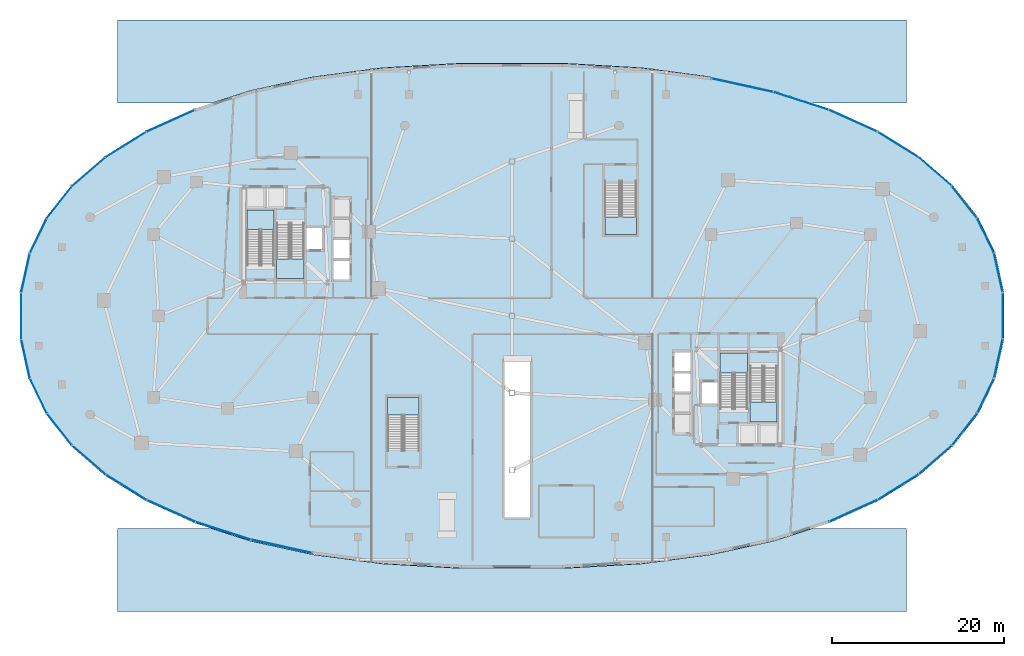
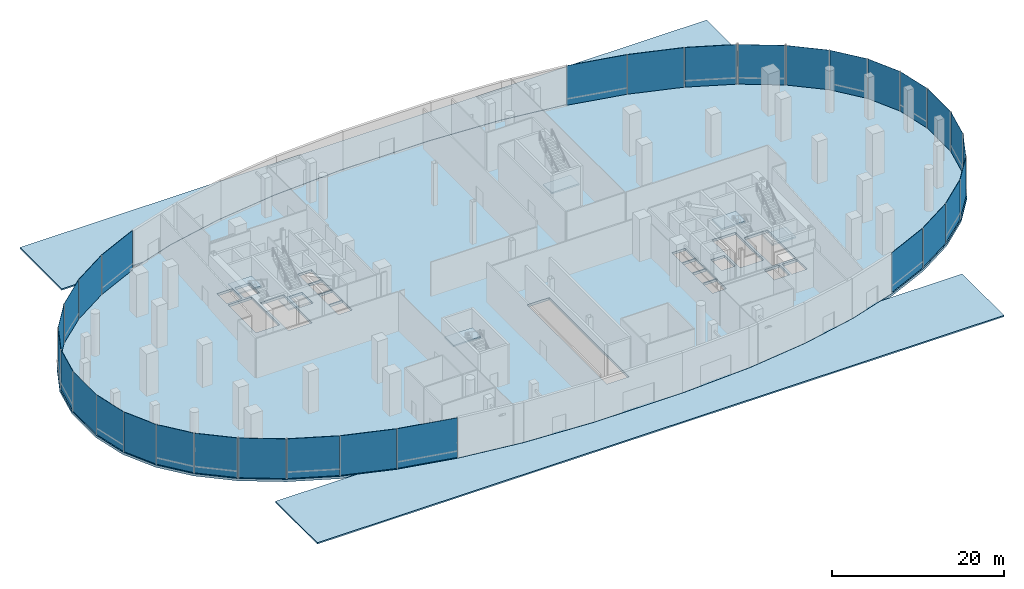
# One storey, part 11 of 20: 30 plates, 9 slabs, 13 elements without a shape of their own.
"""IFC4 building model written with IfcOpenShell, lengths in metres."""

from ifc_helpers import new_model, si_unit, direction, frame, origin, origin_2d, place, context, subcontext, project, spatial, polyline, rectangle, outline, extrude, material, layer, layer_set, type_object, element, aggregate, save


model = new_model("IFC4")

# Units and contexts
model_context = context("Model", 3, precision=1e-05, world=origin(), true_north=direction((0.0, 1.0)))
body_context = subcontext(model_context, "Body", "Model", "MODEL_VIEW")
ifc_project = project(units=[si_unit("LENGTHUNIT", "METRE"), si_unit("AREAUNIT", "SQUARE_METRE"), si_unit("VOLUMEUNIT", "CUBIC_METRE"), si_unit("PLANEANGLEUNIT", "RADIAN"), si_unit("MASSUNIT", "GRAM", prefix="KILO"), si_unit("THERMODYNAMICTEMPERATUREUNIT", "KELVIN"), si_unit("POWERUNIT", "WATT")], contexts=[model_context])

# Site, building, storey
site_placement = place(None, origin())
site = spatial("IfcSite", under=ifc_project, at=site_placement, CompositionType="ELEMENT")
building_placement = place(site_placement, origin())
building = spatial("IfcBuilding", under=site, at=building_placement, Name="Cundina Bronze Exchange", CompositionType="ELEMENT")
storey_placement = place(building_placement, origin())
storey = spatial("IfcBuildingStorey", under=building, at=storey_placement, Name="L00", CompositionType="ELEMENT", Elevation=0.0)

# Curtain wall, plates
ifc_material_1 = material(Name="Anodised Bronze Aluminium 6063-T6", Category="aluminium")
curtain_wall_type = type_object("IfcCurtainWallType", Name="CWS-POD-CONC", PredefinedType="NOTDEFINED", material=ifc_material_1)
curtain_wall_1_placement = place(storey_placement, origin())
curtain_wall_1 = element("IfcCurtainWall", 1, at=curtain_wall_1_placement, inside=storey, type_object=curtain_wall_type, Name="L00 CW-01 Curtain Wall Run CWR-L00-01", PredefinedType="NOTDEFINED")
ifc_material_2 = material(Name="Heat-Strengthened Solar-Control Bronze Safety Glass 28mm", Category="glass")
ifc_layer_1 = layer(ifc_material_2, 0.033935546875, Name="Heat-Strengthened Solar-Control Bronze Safety Glass 28mm", Category="glass")
ifc_layer_set_1 = layer_set([ifc_layer_1], Name="Heat-Strengthened Solar-Control Bronze Safety Glass 28mm")
plate_type_1 = type_object("IfcPlateType", Name="PLT-GLZ-POD34", PredefinedType="CURTAIN_PANEL", material=ifc_layer_set_1)
plate_1_placement = place(storey_placement, frame((56.7294921875, 4.99951171875, 0.02001953125), z_axis=(0.0, 0.0, 1.0), x_axis=(-0.214496674701, 0.976724718916, 0.0)))
plate_1 = element("IfcPlate", 2, at=plate_1_placement, type_object=plate_type_1, Name="CW-01 Glazed Panel 1", PredefinedType="CURTAIN_PANEL", context=body_context, shape_type="SweptSolid", body=[
    extrude(rectangle(XDim=4.60009765625, YDim=0.033935546875, at=origin_2d()), origin(), (0.0, 0.0, 1.0), 5.610107421875),
])
plate_2_placement = place(storey_placement, frame((55.237548828125, 9.3232421875, 0.02001953125), z_axis=(0.0, 0.0, 1.0), x_axis=(-0.435765282624, 0.900060341566, 0.0)))
plate_2 = element("IfcPlate", 3, at=plate_2_placement, type_object=plate_type_1, Name="CW-01 Glazed Panel 2", PredefinedType="CURTAIN_PANEL", context=body_context, shape_type="SweptSolid", body=[
    extrude(rectangle(XDim=4.499755859375, YDim=0.033935546875, at=origin_2d()), origin(), (0.0, 0.0, 1.0), 5.610107421875),
])
plate_3_placement = place(storey_placement, frame((52.768798828125, 13.24462890625, 0.02001953125), z_axis=(0.0, 0.0, 1.0), x_axis=(-0.619463952441, 0.785025102545, 0.0)))
plate_3 = element("IfcPlate", 4, at=plate_3_placement, type_object=plate_type_1, Name="CW-01 Glazed Panel 3", PredefinedType="CURTAIN_PANEL", context=body_context, shape_type="SweptSolid", body=[
    extrude(rectangle(XDim=4.7060546875, YDim=0.033935546875, at=origin_2d()), origin(), (0.0, 0.0, 1.0), 5.610107421875),
])
plate_4_placement = place(storey_placement, frame((49.346923828125, 16.802490234375, 0.02001953125), z_axis=(0.0, 0.0, 1.0), x_axis=(-0.755556279398, 0.655083741717, 0.0)))
plate_4 = element("IfcPlate", 5, at=plate_4_placement, type_object=plate_type_1, Name="CW-01 Glazed Panel 4", PredefinedType="CURTAIN_PANEL", context=body_context, shape_type="SweptSolid", body=[
    extrude(rectangle(XDim=5.0849609375, YDim=0.033935546875, at=origin_2d()), origin(), (0.0, 0.0, 1.0), 5.610107421875),
])

curtain_wall_2_placement = place(storey_placement, origin())
curtain_wall_2 = element("IfcCurtainWall", 6, at=curtain_wall_2_placement, inside=storey, type_object=curtain_wall_type, Name="L00 CW-01 Curtain Wall Run CWR-L00-02", PredefinedType="NOTDEFINED")
plate_5_placement = place(storey_placement, frame((39.789794921875, 22.73876953125, 0.02001953125), z_axis=(0.0, 0.0, 1.0), x_axis=(-0.911647313688, 0.41097344859, 0.0)))
plate_5 = element("IfcPlate", 7, at=plate_5_placement, type_object=plate_type_1, Name="CW-01 Glazed Panel 1", PredefinedType="CURTAIN_PANEL", context=body_context, shape_type="SweptSolid", body=[
    extrude(rectangle(XDim=6.11962890625, YDim=0.033935546875, at=origin_2d()), origin(), (0.0, 0.0, 1.0), 5.610107421875),
])
plate_6_placement = place(storey_placement, frame((33.738037109375, 25.051513671875, 0.02001953125), z_axis=(0.0, 0.0, 1.0), x_axis=(-0.951840858876, 0.306592529873, 0.0)))
plate_6 = element("IfcPlate", 8, at=plate_6_placement, type_object=plate_type_1, Name="CW-01 Glazed Panel 2", PredefinedType="CURTAIN_PANEL", context=body_context, shape_type="SweptSolid", body=[
    extrude(rectangle(XDim=6.71044921875, YDim=0.033935546875, at=origin_2d()), origin(), (0.0, 0.0, 1.0), 5.610107421875),
])
plate_7_placement = place(storey_placement, frame((26.882568359375, 26.884765625, 0.02001953125), z_axis=(0.0, 0.0, 1.0), x_axis=(-0.9769078017, 0.213661290314, 0.0)))
plate_7 = element("IfcPlate", 9, at=plate_7_placement, type_object=plate_type_1, Name="CW-01 Glazed Panel 3", PredefinedType="CURTAIN_PANEL", context=body_context, shape_type="SweptSolid", body=[
    extrude(rectangle(XDim=7.3466796875, YDim=0.033935546875, at=origin_2d()), origin(), (0.0, 0.0, 1.0), 5.610107421875),
])
aggregate(curtain_wall_2, [plate_5, plate_6, plate_7])

curtain_wall_3_placement = place(storey_placement, origin())
curtain_wall_3 = element("IfcCurtainWall", 10, at=curtain_wall_3_placement, inside=storey, type_object=curtain_wall_type, Name="L00 CW-01 Curtain Wall Run CWR-L00-03", PredefinedType="NOTDEFINED")
plate_8_placement = place(storey_placement, frame((-39.789794921875, 22.73876953125, 0.02001953125), z_axis=(0.0, 0.0, 1.0), x_axis=(-0.911647313688, -0.41097344859, 0.0)))
plate_8 = element("IfcPlate", 11, at=plate_8_placement, type_object=plate_type_1, Name="CW-01 Glazed Panel 1", PredefinedType="CURTAIN_PANEL", context=body_context, shape_type="SweptSolid", body=[
    extrude(rectangle(XDim=6.11962890625, YDim=0.033935546875, at=origin_2d()), origin(), (0.0, 0.0, 1.0), 5.610107421875),
])
plate_9_placement = place(storey_placement, frame((-45.007080078125, 19.977783203125, 0.02001953125), z_axis=(0.0, 0.0, 1.0), x_axis=(-0.849294333819, -0.527919628867, 0.0)))
plate_9 = element("IfcPlate", 12, at=plate_9_placement, type_object=plate_type_1, Name="CW-01 Glazed Panel 2", PredefinedType="CURTAIN_PANEL", context=body_context, shape_type="SweptSolid", body=[
    extrude(rectangle(XDim=5.570068359375, YDim=0.033935546875, at=origin_2d()), origin(), (0.0, 0.0, 1.0), 5.610107421875),
])
plate_10_placement = place(storey_placement, frame((-52.768798828125, 13.24462890625, 0.02001953125), z_axis=(0.0, 0.0, 1.0), x_axis=(-0.619463952441, -0.785025102545, 0.0)))
plate_10 = element("IfcPlate", 13, at=plate_10_placement, type_object=plate_type_1, Name="CW-01 Glazed Panel 4", PredefinedType="CURTAIN_PANEL", context=body_context, shape_type="SweptSolid", body=[
    extrude(rectangle(XDim=4.7060546875, YDim=0.033935546875, at=origin_2d()), origin(), (0.0, 0.0, 1.0), 5.610107421875),
])
plate_11_placement = place(storey_placement, frame((-55.237548828125, 9.3232421875, 0.02001953125), z_axis=(0.0, 0.0, 1.0), x_axis=(-0.435765282624, -0.900060341566, 0.0)))
plate_11 = element("IfcPlate", 14, at=plate_11_placement, type_object=plate_type_1, Name="CW-01 Glazed Panel 5", PredefinedType="CURTAIN_PANEL", context=body_context, shape_type="SweptSolid", body=[
    extrude(rectangle(XDim=4.499755859375, YDim=0.033935546875, at=origin_2d()), origin(), (0.0, 0.0, 1.0), 5.610107421875),
])

curtain_wall_4_placement = place(storey_placement, origin())
curtain_wall_4 = element("IfcCurtainWall", 15, at=curtain_wall_4_placement, inside=storey, type_object=curtain_wall_type, Name="L00 CW-01 Curtain Wall Run CWR-L00-04", PredefinedType="NOTDEFINED")
plate_12_placement = place(storey_placement, frame((-56.7294921875, 4.99951171875, 0.02001953125), z_axis=(0.0, 0.0, 1.0), x_axis=(-0.214496674701, -0.976724718916, 0.0)))
plate_12 = element("IfcPlate", 16, at=plate_12_placement, type_object=plate_type_1, Name="CW-01 Glazed Panel 1", PredefinedType="CURTAIN_PANEL", context=body_context, shape_type="SweptSolid", body=[
    extrude(rectangle(XDim=4.60009765625, YDim=0.033935546875, at=origin_2d()), origin(), (0.0, 0.0, 1.0), 5.610107421875),
])
plate_13_placement = place(storey_placement, frame((-56.7294921875, -4.99951171875, 0.02001953125), z_axis=(0.0, 0.0, 1.0), x_axis=(0.214496674701, -0.976724718916, 0.0)))
plate_13 = element("IfcPlate", 17, at=plate_13_placement, type_object=plate_type_1, Name="CW-01 Glazed Panel 3", PredefinedType="CURTAIN_PANEL", context=body_context, shape_type="SweptSolid", body=[
    extrude(rectangle(XDim=4.60009765625, YDim=0.033935546875, at=origin_2d()), origin(), (0.0, 0.0, 1.0), 5.610107421875),
])
plate_14_placement = place(storey_placement, frame((-55.237548828125, -9.3232421875, 0.02001953125), z_axis=(0.0, 0.0, 1.0), x_axis=(0.435765282624, -0.900060341566, 0.0)))
plate_14 = element("IfcPlate", 18, at=plate_14_placement, type_object=plate_type_1, Name="CW-01 Glazed Panel 4", PredefinedType="CURTAIN_PANEL", context=body_context, shape_type="SweptSolid", body=[
    extrude(rectangle(XDim=4.499755859375, YDim=0.033935546875, at=origin_2d()), origin(), (0.0, 0.0, 1.0), 5.610107421875),
])
plate_15_placement = place(storey_placement, frame((-52.768798828125, -13.24462890625, 0.02001953125), z_axis=(0.0, 0.0, 1.0), x_axis=(0.619463952441, -0.785025102545, 0.0)))
plate_15 = element("IfcPlate", 19, at=plate_15_placement, type_object=plate_type_1, Name="CW-01 Glazed Panel 5", PredefinedType="CURTAIN_PANEL", context=body_context, shape_type="SweptSolid", body=[
    extrude(rectangle(XDim=4.7060546875, YDim=0.033935546875, at=origin_2d()), origin(), (0.0, 0.0, 1.0), 5.610107421875),
])

curtain_wall_5_placement = place(storey_placement, origin())
curtain_wall_5 = element("IfcCurtainWall", 20, at=curtain_wall_5_placement, inside=storey, type_object=curtain_wall_type, Name="L00 CW-01 Curtain Wall Run CWR-L00-05", PredefinedType="NOTDEFINED")
plate_16_placement = place(storey_placement, frame((-45.007080078125, -19.977783203125, 0.02001953125), z_axis=(0.0, 0.0, 1.0), x_axis=(0.849294333819, -0.527919628867, 0.0)))
plate_16 = element("IfcPlate", 21, at=plate_16_placement, type_object=plate_type_1, Name="CW-01 Glazed Panel 2", PredefinedType="CURTAIN_PANEL", context=body_context, shape_type="SweptSolid", body=[
    extrude(rectangle(XDim=5.570068359375, YDim=0.033935546875, at=origin_2d()), origin(), (0.0, 0.0, 1.0), 5.610107421875),
])
plate_17_placement = place(storey_placement, frame((-39.789794921875, -22.73876953125, 0.02001953125), z_axis=(0.0, 0.0, 1.0), x_axis=(0.911647313688, -0.41097344859, 0.0)))
plate_17 = element("IfcPlate", 22, at=plate_17_placement, type_object=plate_type_1, Name="CW-01 Glazed Panel 3", PredefinedType="CURTAIN_PANEL", context=body_context, shape_type="SweptSolid", body=[
    extrude(rectangle(XDim=6.11962890625, YDim=0.033935546875, at=origin_2d()), origin(), (0.0, 0.0, 1.0), 5.610107421875),
])
plate_18_placement = place(storey_placement, frame((-33.738037109375, -25.051513671875, 0.02001953125), z_axis=(0.0, 0.0, 1.0), x_axis=(0.951840858876, -0.306592529873, 0.0)))
plate_18 = element("IfcPlate", 23, at=plate_18_placement, type_object=plate_type_1, Name="CW-01 Glazed Panel 4", PredefinedType="CURTAIN_PANEL", context=body_context, shape_type="SweptSolid", body=[
    extrude(rectangle(XDim=6.71044921875, YDim=0.033935546875, at=origin_2d()), origin(), (0.0, 0.0, 1.0), 5.610107421875),
])
plate_19_placement = place(storey_placement, frame((-26.882568359375, -26.884765625, 0.02001953125), z_axis=(0.0, 0.0, 1.0), x_axis=(0.9769078017, -0.213661290314, 0.0)))
plate_19 = element("IfcPlate", 24, at=plate_19_placement, type_object=plate_type_1, Name="CW-01 Glazed Panel 5", PredefinedType="CURTAIN_PANEL", context=body_context, shape_type="SweptSolid", body=[
    extrude(rectangle(XDim=7.3466796875, YDim=0.033935546875, at=origin_2d()), origin(), (0.0, 0.0, 1.0), 5.610107421875),
])

curtain_wall_6_placement = place(storey_placement, origin())
curtain_wall_6 = element("IfcCurtainWall", 25, at=curtain_wall_6_placement, inside=storey, type_object=curtain_wall_type, Name="L00 CW-01 Curtain Wall Run CWR-L00-06", PredefinedType="NOTDEFINED")
plate_20_placement = place(storey_placement, frame((39.789794921875, -22.73876953125, 0.02001953125), z_axis=(0.0, 0.0, 1.0), x_axis=(0.911647313688, 0.41097344859, 0.0)))
plate_20 = element("IfcPlate", 26, at=plate_20_placement, type_object=plate_type_1, Name="CW-01 Glazed Panel 1", PredefinedType="CURTAIN_PANEL", context=body_context, shape_type="SweptSolid", body=[
    extrude(rectangle(XDim=6.11962890625, YDim=0.033935546875, at=origin_2d()), origin(), (0.0, 0.0, 1.0), 5.610107421875),
])
plate_21_placement = place(storey_placement, frame((45.007080078125, -19.977783203125, 0.02001953125), z_axis=(0.0, 0.0, 1.0), x_axis=(0.849294333819, 0.527919628867, 0.0)))
plate_21 = element("IfcPlate", 27, at=plate_21_placement, type_object=plate_type_1, Name="CW-01 Glazed Panel 2", PredefinedType="CURTAIN_PANEL", context=body_context, shape_type="SweptSolid", body=[
    extrude(rectangle(XDim=5.570068359375, YDim=0.033935546875, at=origin_2d()), origin(), (0.0, 0.0, 1.0), 5.610107421875),
])
plate_22_placement = place(storey_placement, frame((49.346923828125, -16.802490234375, 0.02001953125), z_axis=(0.0, 0.0, 1.0), x_axis=(0.755556279398, 0.655083741717, 0.0)))
plate_22 = element("IfcPlate", 28, at=plate_22_placement, type_object=plate_type_1, Name="CW-01 Glazed Panel 3", PredefinedType="CURTAIN_PANEL", context=body_context, shape_type="SweptSolid", body=[
    extrude(rectangle(XDim=5.0849609375, YDim=0.033935546875, at=origin_2d()), origin(), (0.0, 0.0, 1.0), 5.610107421875),
])
plate_23_placement = place(storey_placement, frame((52.768798828125, -13.24462890625, 0.02001953125), z_axis=(0.0, 0.0, 1.0), x_axis=(0.619463952441, 0.785025102545, 0.0)))
plate_23 = element("IfcPlate", 29, at=plate_23_placement, type_object=plate_type_1, Name="CW-01 Glazed Panel 4", PredefinedType="CURTAIN_PANEL", context=body_context, shape_type="SweptSolid", body=[
    extrude(rectangle(XDim=4.7060546875, YDim=0.033935546875, at=origin_2d()), origin(), (0.0, 0.0, 1.0), 5.610107421875),
])

curtain_wall_7_placement = place(storey_placement, origin())
curtain_wall_7 = element("IfcCurtainWall", 30, at=curtain_wall_7_placement, inside=storey, type_object=curtain_wall_type, Name="L00 CW-01 Curtain Wall Run CWR-L00-07", PredefinedType="NOTDEFINED")
plate_24_placement = place(storey_placement, frame((56.7294921875, -4.99951171875, 0.02001953125), z_axis=(0.0, 0.0, 1.0), x_axis=(0.214496674701, 0.976724718916, 0.0)))
plate_24 = element("IfcPlate", 31, at=plate_24_placement, type_object=plate_type_1, Name="CW-01 Glazed Panel 1", PredefinedType="CURTAIN_PANEL", context=body_context, shape_type="SweptSolid", body=[
    extrude(rectangle(XDim=4.60009765625, YDim=0.033935546875, at=origin_2d()), origin(), (0.0, 0.0, 1.0), 5.610107421875),
])
plate_25_placement = place(storey_placement, frame((57.22900390625, 0.0, 0.02001953125), z_axis=(0.0, 0.0, 1.0), x_axis=(0.0, 1.0, 0.0)))
plate_25 = element("IfcPlate", 32, at=plate_25_placement, type_object=plate_type_1, Name="CW-01 Glazed Panel 2", PredefinedType="CURTAIN_PANEL", context=body_context, shape_type="SweptSolid", body=[
    extrude(rectangle(XDim=5.389892578125, YDim=0.033935546875, at=origin_2d()), origin(), (0.0, 0.0, 1.0), 5.610107421875),
])
aggregate(curtain_wall_7, [plate_24, plate_25])

# Plate
ifc_material_3 = material(Name="Dark Bronze Spandrel Glass Panel 32mm", Category="glass")
ifc_layer_2 = layer(ifc_material_3, 0.031982421875, Name="Dark Bronze Spandrel Glass Panel 32mm", Category="glass")
ifc_layer_set_2 = layer_set([ifc_layer_2], Name="Dark Bronze Spandrel Glass Panel 32mm")
plate_type_2 = type_object("IfcPlateType", Name="PLT-SPN-BRZ32", PredefinedType="CURTAIN_PANEL", material=ifc_layer_set_2)
plate_26_placement = place(storey_placement, frame((45.007080078125, 19.977783203125, 0.02001953125), z_axis=(0.0, 0.0, 1.0), x_axis=(-0.849294333819, 0.527919628867, 0.0)))
plate_26 = element("IfcPlate", 33, at=plate_26_placement, type_object=plate_type_2, Name="CW-01 Glazed Panel 5", PredefinedType="CURTAIN_PANEL", context=body_context, shape_type="SweptSolid", body=[
    extrude(rectangle(XDim=5.570068359375, YDim=0.031982421875, at=origin_2d()), origin(), (0.0, 0.0, 1.0), 5.610107421875),
])

aggregate(curtain_wall_1, [plate_1, plate_2, plate_3, plate_4, plate_26])

plate_27_placement = place(storey_placement, frame((-49.346923828125, 16.802490234375, 0.02001953125), z_axis=(0.0, 0.0, 1.0), x_axis=(-0.755556279398, -0.655083741717, 0.0)))
plate_27 = element("IfcPlate", 34, at=plate_27_placement, type_object=plate_type_2, Name="CW-01 Glazed Panel 3", PredefinedType="CURTAIN_PANEL", context=body_context, shape_type="SweptSolid", body=[
    extrude(rectangle(XDim=5.0849609375, YDim=0.031982421875, at=origin_2d()), origin(), (0.0, 0.0, 1.0), 5.610107421875),
])

aggregate(curtain_wall_3, [plate_8, plate_9, plate_27, plate_10, plate_11])

plate_28_placement = place(storey_placement, frame((-57.22900390625, 0.0, 0.02001953125), z_axis=(0.0, 0.0, 1.0), x_axis=(0.0, -1.0, 0.0)))
plate_28 = element("IfcPlate", 35, at=plate_28_placement, type_object=plate_type_2, Name="CW-01 Glazed Panel 2", PredefinedType="CURTAIN_PANEL", context=body_context, shape_type="SweptSolid", body=[
    extrude(rectangle(XDim=5.389892578125, YDim=0.031982421875, at=origin_2d()), origin(), (0.0, 0.0, 1.0), 5.610107421875),
])

aggregate(curtain_wall_4, [plate_12, plate_28, plate_13, plate_14, plate_15])

plate_29_placement = place(storey_placement, frame((-49.346923828125, -16.802490234375, 0.02001953125), z_axis=(0.0, 0.0, 1.0), x_axis=(0.755556279398, -0.655083741717, 0.0)))
plate_29 = element("IfcPlate", 36, at=plate_29_placement, type_object=plate_type_2, Name="CW-01 Glazed Panel 1", PredefinedType="CURTAIN_PANEL", context=body_context, shape_type="SweptSolid", body=[
    extrude(rectangle(XDim=5.0849609375, YDim=0.031982421875, at=origin_2d()), origin(), (0.0, 0.0, 1.0), 5.610107421875),
])

aggregate(curtain_wall_5, [plate_29, plate_16, plate_17, plate_18, plate_19])

plate_30_placement = place(storey_placement, frame((55.237548828125, -9.3232421875, 0.02001953125), z_axis=(0.0, 0.0, 1.0), x_axis=(0.435765282624, 0.900060341566, 0.0)))
plate_30 = element("IfcPlate", 37, at=plate_30_placement, type_object=plate_type_2, Name="CW-01 Glazed Panel 5", PredefinedType="CURTAIN_PANEL", context=body_context, shape_type="SweptSolid", body=[
    extrude(rectangle(XDim=4.499755859375, YDim=0.031982421875, at=origin_2d()), origin(), (0.0, 0.0, 1.0), 5.610107421875),
])

aggregate(curtain_wall_6, [plate_20, plate_21, plate_22, plate_23, plate_30])

# Stair, slab
ifc_material_4 = material(Name="Concrete C40/50", Category="concrete")
stair_type_1 = type_object("IfcStairType", Name="STR-POD-600", PredefinedType="HALF_TURN_STAIR", material=ifc_material_4)
stair_1_placement = place(storey_placement, origin())
stair_1 = element("IfcStair", 38, at=stair_1_placement, inside=storey, type_object=stair_type_1, Name="L00 Smokeproof Exit Stair W1", PredefinedType="HALF_TURN_STAIR")
ifc_layer_3 = layer(ifc_material_4, 0.199951171875, Name="Concrete C40/50", Category="concrete")
ifc_layer_set_3 = layer_set([ifc_layer_3], Name="Concrete C40/50")
slab_type_1 = type_object("IfcSlabType", Name="SLB-LND-200", PredefinedType="LANDING", material=ifc_layer_set_3)
slab_1_placement = place(storey_placement, frame((0.0, 0.0, 2.800048828125)))
slab_1 = element("IfcSlab", 39, at=slab_1_placement, type_object=slab_type_1, Name="ST-W1 landing 1", PredefinedType="LANDING", context=body_context, shape_type="SweptSolid", body=[
    extrude(outline(polyline([(-27.739990234375, 10.050048828125), (-27.739990234375, 12.35009765625), (-30.89990234375, 12.35009765625), (-30.89990234375, 10.050048828125), (-27.739990234375, 10.050048828125)])), origin(), (0.0, 0.0, 1.0), 0.199951171875),
])
aggregate(stair_1, [slab_1])

stair_2_placement = place(storey_placement, origin())
stair_2 = element("IfcStair", 40, at=stair_2_placement, inside=storey, type_object=stair_type_1, Name="L00 Smokeproof Exit Stair W2", PredefinedType="HALF_TURN_STAIR")
slab_2_placement = place(storey_placement, frame((0.0, 0.0, 2.800048828125)))
slab_2 = element("IfcSlab", 41, at=slab_2_placement, type_object=slab_type_1, Name="ST-W2 landing 1", PredefinedType="LANDING", context=body_context, shape_type="SweptSolid", body=[
    extrude(outline(polyline([(-27.43994140625, 6.64990234375), (-27.43994140625, 4.35009765625), (-24.280029296875, 4.35009765625), (-24.280029296875, 6.64990234375), (-27.43994140625, 6.64990234375)])), origin(), (0.0, 0.0, 1.0), 0.199951171875),
])
aggregate(stair_2, [slab_2])

stair_3_placement = place(storey_placement, origin())
stair_3 = element("IfcStair", 42, at=stair_3_placement, inside=storey, type_object=stair_type_1, Name="L00 Smokeproof Exit Stair E1", PredefinedType="HALF_TURN_STAIR")
slab_3_placement = place(storey_placement, frame((0.0, 0.0, 2.800048828125)))
slab_3 = element("IfcSlab", 43, at=slab_3_placement, type_object=slab_type_1, Name="ST-E1 landing 1", PredefinedType="LANDING", context=body_context, shape_type="SweptSolid", body=[
    extrude(outline(polyline([(27.739990234375, -10.050048828125), (27.739990234375, -12.35009765625), (30.89990234375, -12.35009765625), (30.89990234375, -10.050048828125), (27.739990234375, -10.050048828125)])), origin(), (0.0, 0.0, 1.0), 0.199951171875),
])
aggregate(stair_3, [slab_3])

stair_4_placement = place(storey_placement, origin())
stair_4 = element("IfcStair", 44, at=stair_4_placement, inside=storey, type_object=stair_type_1, Name="L00 Smokeproof Exit Stair E2", PredefinedType="HALF_TURN_STAIR")
slab_4_placement = place(storey_placement, frame((0.0, 0.0, 2.800048828125)))
slab_4 = element("IfcSlab", 45, at=slab_4_placement, type_object=slab_type_1, Name="ST-E2 landing 1", PredefinedType="LANDING", context=body_context, shape_type="SweptSolid", body=[
    extrude(outline(polyline([(27.43994140625, -6.64990234375), (27.43994140625, -4.35009765625), (24.280029296875, -4.35009765625), (24.280029296875, -6.64990234375), (27.43994140625, -6.64990234375)])), origin(), (0.0, 0.0, 1.0), 0.199951171875),
])
aggregate(stair_4, [slab_4])

stair_type_2 = type_object("IfcStairType", Name="STR-CON-600", PredefinedType="STRAIGHT_RUN_STAIR", material=ifc_material_4)
stair_5_placement = place(storey_placement, origin())
stair_5 = element("IfcStair", 46, at=stair_5_placement, inside=storey, type_object=stair_type_2, Name="L00 Concourse Exchange Stair W", PredefinedType="HALF_TURN_STAIR")
slab_5_placement = place(storey_placement, frame((0.0, 0.0, 2.800048828125)))
slab_5 = element("IfcSlab", 47, at=slab_5_placement, type_object=slab_type_1, Name="ST-PW landing 1", PredefinedType="LANDING", context=body_context, shape_type="SweptSolid", body=[
    extrude(outline(polyline([(-10.820068359375, -11.550048828125), (-10.820068359375, -9.5), (-14.52001953125, -9.5), (-14.52001953125, -11.550048828125), (-10.820068359375, -11.550048828125)])), origin(), (0.0, 0.0, 1.0), 0.199951171875),
])
aggregate(stair_5, [slab_5])

stair_6_placement = place(storey_placement, origin())
stair_6 = element("IfcStair", 48, at=stair_6_placement, inside=storey, type_object=stair_type_2, Name="L00 Concourse Exchange Stair E", PredefinedType="HALF_TURN_STAIR")
slab_6_placement = place(storey_placement, frame((0.0, 0.0, 2.800048828125)))
slab_6 = element("IfcSlab", 49, at=slab_6_placement, type_object=slab_type_1, Name="ST-PE landing 1", PredefinedType="LANDING", context=body_context, shape_type="SweptSolid", body=[
    extrude(outline(polyline([(10.820068359375, 11.550048828125), (10.820068359375, 9.5), (14.52001953125, 9.5), (14.52001953125, 11.550048828125), (10.820068359375, 11.550048828125)])), origin(), (0.0, 0.0, 1.0), 0.199951171875),
])
aggregate(stair_6, [slab_6])

# Slabs
ifc_layer_4 = layer(ifc_material_4, 0.199951171875, Name="Concrete C40/50", Category="concrete")
ifc_layer_set_4 = layer_set([ifc_layer_4], Name="Concrete C40/50")
slab_type_2 = type_object("IfcSlabType", Name="SLB-PAV-200", PredefinedType="USERDEFINED", material=ifc_layer_set_4)
slab_7_placement = place(storey_placement, frame((0.0, 0.0, -0.199951171875)))
element("IfcSlab", 50, at=slab_7_placement, inside=storey, type_object=slab_type_2, Name="L00 S Station Plaza Entrance Paving 1", ObjectType="PAVING", PredefinedType="USERDEFINED", context=body_context, shape_type="SweptSolid", body=[
    extrude(outline(polyline([(46.0, -24.800048828125), (46.0, -34.5), (-46.0, -34.5), (-46.0, -24.800048828125), (-35.0244140625, -24.800048828125), (-30.549072265625, -26.241455078125), (-30.548095703125, -26.24169921875), (-23.283203125, -27.830810546875), (-23.2822265625, -27.830810546875), (-15.182373046875, -28.90283203125), (-15.181640625, -28.903076171875), (-5.9365234375, -29.44189453125), (-5.93603515625, -29.44189453125), (5.93603515625, -29.44189453125), (5.9365234375, -29.44189453125), (15.181640625, -28.903076171875), (15.182373046875, -28.90283203125), (23.2822265625, -27.830810546875), (23.283203125, -27.830810546875), (30.548095703125, -26.24169921875), (30.549072265625, -26.241455078125), (35.0244140625, -24.800048828125), (46.0, -24.800048828125)])), origin(), (0.0, 0.0, 1.0), 0.199951171875),
])
slab_8_placement = place(storey_placement, frame((0.0, 0.0, -0.199951171875)))
element("IfcSlab", 51, at=slab_8_placement, inside=storey, type_object=slab_type_2, Name="L00 N Station Plaza Entrance Paving 1", ObjectType="PAVING", PredefinedType="USERDEFINED", context=body_context, shape_type="SweptSolid", body=[
    extrude(outline(polyline([(-46.0, 24.800048828125), (-46.0, 34.5), (46.0, 34.5), (46.0, 24.800048828125), (35.0244140625, 24.800048828125), (30.549072265625, 26.241455078125), (30.548095703125, 26.24169921875), (23.283203125, 27.830810546875), (23.2822265625, 27.830810546875), (15.182373046875, 28.90283203125), (15.181640625, 28.903076171875), (5.9365234375, 29.44189453125), (5.93603515625, 29.44189453125), (-5.93603515625, 29.44189453125), (-5.9365234375, 29.44189453125), (-15.181640625, 28.903076171875), (-15.182373046875, 28.90283203125), (-23.2822265625, 27.830810546875), (-23.283203125, 27.830810546875), (-30.548095703125, 26.24169921875), (-30.549072265625, 26.241455078125), (-35.0244140625, 24.800048828125), (-46.0, 24.800048828125)])), origin(), (0.0, 0.0, 1.0), 0.199951171875),
])
ifc_material_5 = material(Name="Concrete C50/60", Category="concrete")
ifc_layer_5 = layer(ifc_material_5, 0.35009765625, Name="Concrete C50/60", Category="concrete")
ifc_layer_set_5 = layer_set([ifc_layer_5], Name="Concrete C50/60")
slab_type_3 = type_object("IfcSlabType", Name="SLB-POD-350", PredefinedType="FLOOR", material=ifc_layer_set_5)
slab_9_placement = place(storey_placement, frame((0.0, 0.0, -0.35009765625)))
element("IfcSlab", 52, at=slab_9_placement, inside=storey, type_object=slab_type_3, Name="L00 Podium Structural Floor Slab", PredefinedType="FLOOR", context=body_context, shape_type="SweptSolid", body=[
    extrude(outline(polyline([(57.3740234375, 2.739990234375), (56.367919921875, 7.321044921875), (54.367919921875, 11.451904296875), (51.39697265625, 15.217041015625), (47.487060546875, 18.60693359375), (42.679931640625, 21.594970703125), (37.01904296875, 24.14697265625), (30.5458984375, 26.23193359375), (23.281005859375, 27.821044921875), (15.180908203125, 28.89306640625), (5.93603515625, 29.431884765625), (-5.93603515625, 29.431884765625), (-15.180908203125, 28.89306640625), (-23.281005859375, 27.821044921875), (-30.5458984375, 26.23193359375), (-37.01904296875, 24.14697265625), (-42.679931640625, 21.594970703125), (-47.487060546875, 18.60693359375), (-51.39697265625, 15.217041015625), (-54.367919921875, 11.451904296875), (-56.367919921875, 7.321044921875), (-57.3740234375, 2.739990234375), (-57.3740234375, -2.739990234375), (-56.367919921875, -7.321044921875), (-54.367919921875, -11.451904296875), (-51.39697265625, -15.217041015625), (-47.487060546875, -18.60693359375), (-42.679931640625, -21.594970703125), (-37.01904296875, -24.14697265625), (-30.5458984375, -26.23193359375), (-23.281005859375, -27.821044921875), (-15.180908203125, -28.89306640625), (-5.93603515625, -29.431884765625), (5.93603515625, -29.431884765625), (15.180908203125, -28.89306640625), (23.281005859375, -27.821044921875), (30.5458984375, -26.23193359375), (37.01904296875, -24.14697265625), (42.679931640625, -21.594970703125), (47.487060546875, -18.60693359375), (51.39697265625, -15.217041015625), (54.367919921875, -11.451904296875), (56.367919921875, -7.321044921875), (57.3740234375, -2.739990234375), (57.3740234375, 2.739990234375)]), holes=[polyline([(-27.739990234375, 5.85009765625), (-27.739990234375, 12.35009765625), (-30.89990234375, 12.35009765625), (-30.89990234375, 5.85009765625), (-27.739990234375, 5.85009765625)]), polyline([(-27.43994140625, 10.85009765625), (-27.43994140625, 4.35009765625), (-24.280029296875, 4.35009765625), (-24.280029296875, 10.85009765625), (-27.43994140625, 10.85009765625)]), polyline([(27.739990234375, -5.85009765625), (27.739990234375, -12.35009765625), (30.89990234375, -12.35009765625), (30.89990234375, -5.85009765625), (27.739990234375, -5.85009765625)]), polyline([(27.43994140625, -10.85009765625), (27.43994140625, -4.35009765625), (24.280029296875, -4.35009765625), (24.280029296875, -10.85009765625), (27.43994140625, -10.85009765625)]), polyline([(-23.97998046875, 10.25), (-22.179931640625, 10.25), (-22.179931640625, 7.75), (-23.97998046875, 7.75), (-23.97998046875, 10.25)]), polyline([(-30.89990234375, 14.949951171875), (-28.85009765625, 14.949951171875), (-28.85009765625, 12.64990234375), (-30.89990234375, 12.64990234375), (-30.89990234375, 14.949951171875)]), polyline([(-28.550048828125, 14.949951171875), (-26.5, 14.949951171875), (-26.5, 12.64990234375), (-28.550048828125, 12.64990234375), (-28.550048828125, 14.949951171875)]), polyline([(-20.800048828125, 13.699951171875), (-18.949951171875, 13.699951171875), (-18.949951171875, 11.449951171875), (-20.800048828125, 11.449951171875), (-20.800048828125, 13.699951171875)]), polyline([(-20.800048828125, 11.300048828125), (-18.949951171875, 11.300048828125), (-18.949951171875, 9.050048828125), (-20.800048828125, 9.050048828125), (-20.800048828125, 11.300048828125)]), polyline([(-20.800048828125, 8.89990234375), (-18.949951171875, 8.89990234375), (-18.949951171875, 6.64990234375), (-20.800048828125, 6.64990234375), (-20.800048828125, 8.89990234375)]), polyline([(-20.800048828125, 6.5), (-18.949951171875, 6.5), (-18.949951171875, 4.25), (-20.800048828125, 4.25), (-20.800048828125, 6.5)]), polyline([(22.179931640625, -7.75), (23.97998046875, -7.75), (23.97998046875, -10.25), (22.179931640625, -10.25), (22.179931640625, -7.75)]), polyline([(28.85009765625, -12.64990234375), (30.89990234375, -12.64990234375), (30.89990234375, -14.949951171875), (28.85009765625, -14.949951171875), (28.85009765625, -12.64990234375)]), polyline([(26.5, -12.64990234375), (28.550048828125, -12.64990234375), (28.550048828125, -14.949951171875), (26.5, -14.949951171875), (26.5, -12.64990234375)]), polyline([(18.949951171875, -11.449951171875), (20.800048828125, -11.449951171875), (20.800048828125, -13.699951171875), (18.949951171875, -13.699951171875), (18.949951171875, -11.449951171875)]), polyline([(18.949951171875, -9.050048828125), (20.800048828125, -9.050048828125), (20.800048828125, -11.300048828125), (18.949951171875, -11.300048828125), (18.949951171875, -9.050048828125)]), polyline([(18.949951171875, -6.64990234375), (20.800048828125, -6.64990234375), (20.800048828125, -8.89990234375), (18.949951171875, -8.89990234375), (18.949951171875, -6.64990234375)]), polyline([(18.949951171875, -4.25), (20.800048828125, -4.25), (20.800048828125, -6.5), (18.949951171875, -6.5), (18.949951171875, -4.25)]), polyline([(-0.85009765625, -5.0), (2.10009765625, -5.0), (2.10009765625, -23.5), (-0.85009765625, -23.5), (-0.85009765625, -5.0)])]), origin(), (0.0, 0.0, 1.0), 0.35009765625),
])

save(model, "model.ifc")
